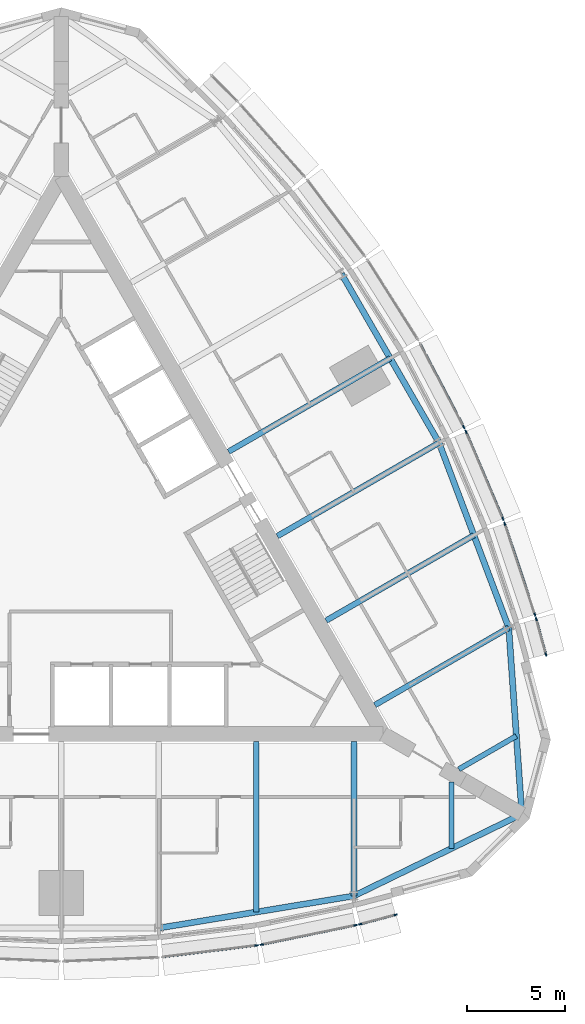
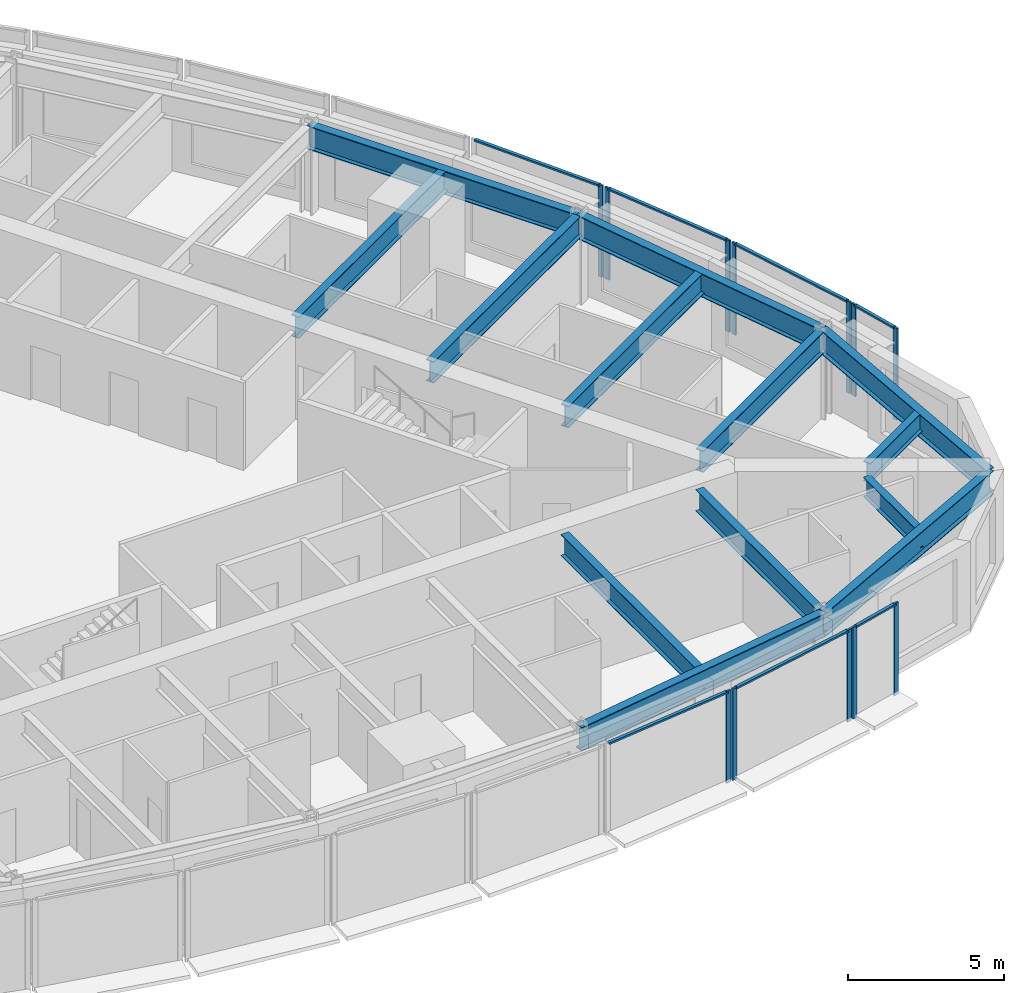
# One storey, part 4 of 15: 19 members, 13 beams, 7 elements without a shape of their own.
"""IFC4 building model written with IfcOpenShell, lengths in metres."""

from ifc_helpers import new_model, si_unit, direction, frame, origin, origin_2d, place, context, subcontext, project, spatial, rectangle, i_section, extrude, material, material_profile, profile_set, type_object, element, aggregate, save


model = new_model("IFC4")

# Units and contexts
model_context = context("Model", 3, precision=1e-05, world=origin(), true_north=direction((0.0, 1.0)))
body_context = subcontext(model_context, "Body", "Model", "MODEL_VIEW")
ifc_project = project(units=[si_unit("LENGTHUNIT", "METRE"), si_unit("AREAUNIT", "SQUARE_METRE"), si_unit("VOLUMEUNIT", "CUBIC_METRE"), si_unit("PLANEANGLEUNIT", "RADIAN"), si_unit("MASSUNIT", "GRAM", prefix="KILO")], contexts=[model_context])

# Site, building, storey
site_placement = place(None, origin())
site = spatial("IfcSite", under=ifc_project, at=site_placement, CompositionType="ELEMENT")
building_placement = place(site_placement, origin())
building = spatial("IfcBuilding", under=site, at=building_placement, Name="Trikona Tower", CompositionType="ELEMENT")
storey_placement = place(building_placement, frame((0.0, 0.0, 204.5)))
storey = spatial("IfcBuildingStorey", under=building, at=storey_placement, Name="L54", CompositionType="ELEMENT", Elevation=204.5)

# Curtain wall, member
ifc_material_1 = material(Name="Aluminium curtain wall system", Category="aluminium")
curtain_wall_type = type_object("IfcCurtainWallType", Name="Curtain wall DS3", PredefinedType="NOTDEFINED", material=ifc_material_1)
curtain_wall_1_placement = place(storey_placement, origin())
curtain_wall_1 = element("IfcCurtainWall", 1, at=curtain_wall_1_placement, inside=storey, type_object=curtain_wall_type, Name="Curtain wall DS3 L54", PredefinedType="NOTDEFINED")
ifc_material_2 = material(Name="Aluminium mullion, pale anodised", Category="aluminium")
ifc_material_profile_1 = material_profile(ifc_material_2, rectangle(XDim=0.070068359375, YDim=0.179931640625, at=origin_2d()), Name="MUL-DS3")
ifc_profile_set_1 = profile_set([ifc_material_profile_1], Name="Aluminium mullion, pale anodised")
member_type_1 = type_object("IfcMemberType", Name="Mullion DS3 70x180", PredefinedType="MULLION", material=ifc_profile_set_1)
member_1_placement = place(storey_placement, frame((10.01611328125, -20.359130859375, 0.0), z_axis=(0.0, 0.0, 1.0), x_axis=(-0.122610640458, 0.992454850785, 0.0)))
member_1 = element("IfcMember", 2, at=member_1_placement, type_object=member_type_1, Name="CW-DS3 mullion 2", PredefinedType="MULLION", context=body_context, shape_type="SweptSolid", body=[
    extrude(rectangle(XDim=0.070068359375, YDim=0.179931640625, at=origin_2d()), origin(), (0.0, 0.0, 1.0), 3.60009765625),
])

# Curtain wall, members
curtain_wall_2_placement = place(storey_placement, origin())
curtain_wall_2 = element("IfcCurtainWall", 3, at=curtain_wall_2_placement, inside=storey, type_object=curtain_wall_type, Name="Curtain wall DS3 L54", PredefinedType="NOTDEFINED")
member_2_placement = place(storey_placement, frame((10.274658203125, -20.316650390625, 0.0), z_axis=(0.0, 0.0, 1.0), x_axis=(-0.201652920672, 0.979457043256, 0.0)))
member_2 = element("IfcMember", 4, at=member_2_placement, type_object=member_type_1, Name="CW-DS3 mullion 1", PredefinedType="MULLION", context=body_context, shape_type="SweptSolid", body=[
    extrude(rectangle(XDim=0.070068359375, YDim=0.179931640625, at=origin_2d()), origin(), (0.0, 0.0, 1.0), 3.60009765625),
])
member_3_placement = place(storey_placement, frame((15.08837890625, -19.325439453125, 0.0), z_axis=(0.0, 0.0, 1.0), x_axis=(-0.201652920672, 0.979457043256, 0.0)))
member_3 = element("IfcMember", 5, at=member_3_placement, type_object=member_type_1, Name="CW-DS3 mullion 2", PredefinedType="MULLION", context=body_context, shape_type="SweptSolid", body=[
    extrude(rectangle(XDim=0.070068359375, YDim=0.179931640625, at=origin_2d()), origin(), (0.0, 0.0, 1.0), 3.60009765625),
])

curtain_wall_3_placement = place(storey_placement, origin())
curtain_wall_3 = element("IfcCurtainWall", 6, at=curtain_wall_3_placement, inside=storey, type_object=curtain_wall_type, Name="Curtain wall DS3 L54", PredefinedType="NOTDEFINED")
member_4_placement = place(storey_placement, frame((15.321044921875, -19.27099609375, 0.0), z_axis=(0.0, 0.0, 1.0), x_axis=(-0.25478635579, 0.966997369647, 0.0)))
member_4 = element("IfcMember", 7, at=member_4_placement, type_object=member_type_1, Name="CW-DS3 mullion 1", PredefinedType="MULLION", context=body_context, shape_type="SweptSolid", body=[
    extrude(rectangle(XDim=0.070068359375, YDim=0.179931640625, at=origin_2d()), origin(), (0.0, 0.0, 1.0), 3.60009765625),
])
member_5_placement = place(storey_placement, frame((17.137451171875, -18.79248046875, 0.0), z_axis=(0.0, 0.0, 1.0), x_axis=(-0.25478635579, 0.966997369647, 0.0)))
member_5 = element("IfcMember", 8, at=member_5_placement, type_object=member_type_1, Name="CW-DS3 mullion 2", PredefinedType="MULLION", context=body_context, shape_type="SweptSolid", body=[
    extrude(rectangle(XDim=0.070068359375, YDim=0.179931640625, at=origin_2d()), origin(), (0.0, 0.0, 1.0), 3.60009765625),
])

curtain_wall_4_placement = place(storey_placement, origin())
curtain_wall_4 = element("IfcCurtainWall", 9, at=curtain_wall_4_placement, inside=storey, type_object=curtain_wall_type, Name="Curtain wall DS3 L54", PredefinedType="NOTDEFINED")
member_6_placement = place(storey_placement, frame((24.843505859375, -5.4453125, 0.0), z_axis=(0.0, 0.0, 1.0), x_axis=(-0.964838403494, -0.262843784676, 0.0)))
member_6 = element("IfcMember", 10, at=member_6_placement, type_object=member_type_1, Name="CW-DS3 mullion 1", PredefinedType="MULLION", context=body_context, shape_type="SweptSolid", body=[
    extrude(rectangle(XDim=0.070068359375, YDim=0.179931640625, at=origin_2d()), origin(), (0.0, 0.0, 1.0), 3.60009765625),
])
member_7_placement = place(storey_placement, frame((24.349609375, -3.633056640625, 0.0), z_axis=(0.0, 0.0, 1.0), x_axis=(-0.964838403494, -0.262843784676, 0.0)))
member_7 = element("IfcMember", 11, at=member_7_placement, type_object=member_type_1, Name="CW-DS3 mullion 2", PredefinedType="MULLION", context=body_context, shape_type="SweptSolid", body=[
    extrude(rectangle(XDim=0.070068359375, YDim=0.179931640625, at=origin_2d()), origin(), (0.0, 0.0, 1.0), 3.60009765625),
])

curtain_wall_5_placement = place(storey_placement, origin())
curtain_wall_5 = element("IfcCurtainWall", 12, at=curtain_wall_5_placement, inside=storey, type_object=curtain_wall_type, Name="Curtain wall DS3 L54", PredefinedType="NOTDEFINED")
member_8_placement = place(storey_placement, frame((24.280517578125, -3.404296875, 0.0), z_axis=(0.0, 0.0, 1.0), x_axis=(-0.949065766708, -0.315078038687, 0.0)))
member_8 = element("IfcMember", 13, at=member_8_placement, type_object=member_type_1, Name="CW-DS3 mullion 1", PredefinedType="MULLION", context=body_context, shape_type="SweptSolid", body=[
    extrude(rectangle(XDim=0.070068359375, YDim=0.179931640625, at=origin_2d()), origin(), (0.0, 0.0, 1.0), 3.60009765625),
])
member_9_placement = place(storey_placement, frame((22.73193359375, 1.26025390625, 0.0), z_axis=(0.0, 0.0, 1.0), x_axis=(-0.949065766708, -0.315078038687, 0.0)))
member_9 = element("IfcMember", 14, at=member_9_placement, type_object=member_type_1, Name="CW-DS3 mullion 2", PredefinedType="MULLION", context=body_context, shape_type="SweptSolid", body=[
    extrude(rectangle(XDim=0.070068359375, YDim=0.179931640625, at=origin_2d()), origin(), (0.0, 0.0, 1.0), 3.60009765625),
])

curtain_wall_6_placement = place(storey_placement, origin())
curtain_wall_6 = element("IfcCurtainWall", 15, at=curtain_wall_6_placement, inside=storey, type_object=curtain_wall_type, Name="Curtain wall DS3 L54", PredefinedType="NOTDEFINED")
member_10_placement = place(storey_placement, frame((22.6396484375, 1.50537109375, 0.0), z_axis=(0.0, 0.0, 1.0), x_axis=(-0.920792322808, -0.390053199266, 0.0)))
member_10 = element("IfcMember", 16, at=member_10_placement, type_object=member_type_1, Name="CW-DS3 mullion 1", PredefinedType="MULLION", context=body_context, shape_type="SweptSolid", body=[
    extrude(rectangle(XDim=0.070068359375, YDim=0.179931640625, at=origin_2d()), origin(), (0.0, 0.0, 1.0), 3.60009765625),
])
member_11_placement = place(storey_placement, frame((20.74853515625, 5.969482421875, 0.0), z_axis=(0.0, 0.0, 1.0), x_axis=(-0.920792322808, -0.390053199266, 0.0)))
member_11 = element("IfcMember", 17, at=member_11_placement, type_object=member_type_1, Name="CW-DS3 mullion 2", PredefinedType="MULLION", context=body_context, shape_type="SweptSolid", body=[
    extrude(rectangle(XDim=0.070068359375, YDim=0.179931640625, at=origin_2d()), origin(), (0.0, 0.0, 1.0), 3.60009765625),
])

# Curtain wall, member
curtain_wall_7_placement = place(storey_placement, origin())
curtain_wall_7 = element("IfcCurtainWall", 18, at=curtain_wall_7_placement, inside=storey, type_object=curtain_wall_type, Name="Curtain wall DS3 L54", PredefinedType="NOTDEFINED")
member_12_placement = place(storey_placement, frame((20.635986328125, 6.20751953125, 0.0), z_axis=(0.0, 0.0, 1.0), x_axis=(-0.885862390527, -0.463948084434, 0.0)))
member_12 = element("IfcMember", 19, at=member_12_placement, type_object=member_type_1, Name="CW-DS3 mullion 1", PredefinedType="MULLION", context=body_context, shape_type="SweptSolid", body=[
    extrude(rectangle(XDim=0.070068359375, YDim=0.179931640625, at=origin_2d()), origin(), (0.0, 0.0, 1.0), 3.60009765625),
])

# Beams
ifc_material_3 = material(Name="Steel ASTM A992 Grade 50", Category="steel")
ifc_material_profile_2 = material_profile(ifc_material_3, i_section(OverallWidth=0.2666015625, OverallDepth=0.76953125, WebThickness=0.015625, FlangeThickness=0.025390625, at=origin_2d()), Name="W30X132")
ifc_profile_set_2 = profile_set([ifc_material_profile_2], Name="Steel ASTM A992 Grade 50")
beam_type_1 = type_object("IfcBeamType", Name="Steel beam W30x132 (wedge)", PredefinedType="BEAM", material=ifc_profile_set_2)
beam_1_placement = place(storey_placement, frame((20.0, -11.97998046875, 3.05029296875), z_axis=(0.0, -1.0, 0.0), x_axis=(1.0, 0.0, 0.0)))
element("IfcBeam", 20, at=beam_1_placement, inside=storey, type_object=beam_type_1, Name="Floor beam L55 F1 u20", PredefinedType="BEAM", context=body_context, shape_type="SweptSolid", body=[
    extrude(i_section(OverallWidth=0.2666015625, OverallDepth=0.76953125, WebThickness=0.015625, FlangeThickness=0.025390625, at=origin_2d()), origin(), (0.0, 0.0, 1.0), 3.40966796875),
])
beam_2_placement = place(storey_placement, frame((20.375, -11.33056640625, 3.05029296875), z_axis=(0.865995995653, 0.500050932918, 0.0), x_axis=(-0.500050932918, 0.865995995653, 0.0)))
element("IfcBeam", 21, at=beam_2_placement, inside=storey, type_object=beam_type_1, Name="Floor beam L55 F2 u-20", PredefinedType="BEAM", context=body_context, shape_type="SweptSolid", body=[
    extrude(i_section(OverallWidth=0.2666015625, OverallDepth=0.76953125, WebThickness=0.015625, FlangeThickness=0.025390625, at=origin_2d()), origin(), (0.0, 0.0, 1.0), 3.409912109375),
])
ifc_material_4 = material(Name="Steel ASTM A992 Grade 50", Category="steel")
ifc_material_profile_3 = material_profile(ifc_material_4, i_section(OverallWidth=0.2919921875, OverallDepth=0.845703125, WebThickness=0.015380859375, FlangeThickness=0.0244140625, at=origin_2d()), Name="W33X141")
ifc_profile_set_3 = profile_set([ifc_material_profile_3], Name="Steel ASTM A992 Grade 50")
beam_type_2 = type_object("IfcBeamType", Name="Steel beam W33x141 (radial typ)", PredefinedType="BEAM", material=ifc_profile_set_3)
beam_3_placement = place(storey_placement, frame((10.0, -9.9013671875, 3.01220703125), z_axis=(0.0, -1.0, 0.0), x_axis=(1.0, 0.0, 0.0)))
element("IfcBeam", 22, at=beam_3_placement, inside=storey, type_object=beam_type_2, Name="Floor beam L55 F1 u10", PredefinedType="BEAM", context=body_context, shape_type="SweptSolid", body=[
    extrude(i_section(OverallWidth=0.2919921875, OverallDepth=0.845703125, WebThickness=0.015380859375, FlangeThickness=0.0244140625, at=origin_2d()), origin(), (0.0, 0.0, 1.0), 8.7470703125),
])
for number, where, z_axis, x_axis, name in (
    (23, (15.0, -9.9013671875, 3.01220703125), (0.0, -1.0, 0.0), (1.0, 0.0, 0.0), "Floor beam L55 F1 u15"),
    (24, (16.07470703125, -8.039794921875, 3.01220703125), (0.866019853763, 0.500009612796, 0.0), (-0.500009612796, 0.866019853763, 0.0), "Floor beam L55 F2 u-15"),
):
    element("IfcBeam", number, at=place(storey_placement, frame(where, z_axis=z_axis, x_axis=x_axis)), inside=storey, type_object=beam_type_2, Name=name, PredefinedType="BEAM", context=body_context, shape_type="SweptSolid", body=[
        extrude(i_section(OverallWidth=0.2919921875, OverallDepth=0.845703125, WebThickness=0.015380859375, FlangeThickness=0.0244140625, at=origin_2d()), origin(), (0.0, 0.0, 1.0), 7.923583984375),
    ])
beam_4_placement = place(storey_placement, frame((13.57470703125, -3.709716796875, 3.01220703125), z_axis=(0.866013609749, 0.500020427312, 0.0), x_axis=(-0.500020427312, 0.866013609749, 0.0)))
element("IfcBeam", 25, at=beam_4_placement, inside=storey, type_object=beam_type_2, Name="Floor beam L55 F2 u-10", PredefinedType="BEAM", context=body_context, shape_type="SweptSolid", body=[
    extrude(i_section(OverallWidth=0.2919921875, OverallDepth=0.845703125, WebThickness=0.015380859375, FlangeThickness=0.0244140625, at=origin_2d()), origin(), (0.0, 0.0, 1.0), 8.747314453125),
])
for number, where, z_axis, x_axis, name in (
    (26, (11.07470703125, 0.62060546875, 3.01220703125), (0.866025863714, 0.499999203377, 0.0), (-0.499999203377, 0.866025863714, 0.0), "Floor beam L55 F2 u-5"),
    (27, (8.57470703125, 4.95068359375, 3.01220703125), (0.866025863714, 0.499999203377, 0.0), (-0.499999203377, 0.866025863714, 0.0), "Floor beam L55 F2 u0"),
):
    element("IfcBeam", number, at=place(storey_placement, frame(where, z_axis=z_axis, x_axis=x_axis)), inside=storey, type_object=beam_type_2, Name=name, PredefinedType="BEAM", context=body_context, shape_type="SweptSolid", body=[
        extrude(i_section(OverallWidth=0.2919921875, OverallDepth=0.845703125, WebThickness=0.015380859375, FlangeThickness=0.0244140625, at=origin_2d()), origin(), (0.0, 0.0, 1.0), 9.57080078125),
    ])
ifc_material_5 = material(Name="Steel ASTM A992 Grade 50", Category="steel")
ifc_material_profile_4 = material_profile(ifc_material_5, i_section(OverallWidth=0.307373046875, OverallDepth=0.922119140625, WebThickness=0.018310546875, FlangeThickness=0.030029296875, at=origin_2d()), Name="W36X182")
ifc_profile_set_4 = profile_set([ifc_material_profile_4], Name="Steel ASTM A992 Grade 50")
beam_type_3 = type_object("IfcBeamType", Name="Steel beam W36x182 (spandrel mid)", PredefinedType="SPANDREL", material=ifc_profile_set_4)
beam_5_placement = place(storey_placement, frame((5.0, -19.471923828125, 2.97412109375), z_axis=(0.986707228918, 0.162507982575, 0.0), x_axis=(-0.162507982575, 0.986707228918, 0.0)))
element("IfcBeam", 28, at=beam_5_placement, inside=storey, type_object=beam_type_3, Name="Spandrel beam L55 F1-4", PredefinedType="SPANDREL", context=body_context, shape_type="SweptSolid", body=[
    extrude(i_section(OverallWidth=0.307373046875, OverallDepth=0.922119140625, WebThickness=0.018310546875, FlangeThickness=0.030029296875, at=origin_2d()), origin(), (0.0, 0.0, 1.0), 10.134765625),
])
beam_6_placement = place(storey_placement, frame((15.0, -17.824951171875, 2.97412109375), z_axis=(0.899038503257, 0.437869580652, 0.0), x_axis=(-0.437869580652, 0.899038503257, 0.0)))
element("IfcBeam", 29, at=beam_6_placement, inside=storey, type_object=beam_type_3, Name="Spandrel beam L55 F1-5", PredefinedType="SPANDREL", context=body_context, shape_type="SweptSolid", body=[
    extrude(i_section(OverallWidth=0.307373046875, OverallDepth=0.922119140625, WebThickness=0.018310546875, FlangeThickness=0.030029296875, at=origin_2d()), origin(), (0.0, 0.0, 1.0), 9.577392578125),
])
beam_7_placement = place(storey_placement, frame((23.6103515625, -13.63134765625, 2.97412109375), z_axis=(-0.07033215835, 0.997523627541, 0.0), x_axis=(-0.997523627541, -0.07033215835, 0.0)))
element("IfcBeam", 30, at=beam_7_placement, inside=storey, type_object=beam_type_3, Name="Spandrel beam L55 F2-1", PredefinedType="SPANDREL", context=body_context, shape_type="SweptSolid", body=[
    extrude(i_section(OverallWidth=0.307373046875, OverallDepth=0.922119140625, WebThickness=0.018310546875, FlangeThickness=0.030029296875, at=origin_2d()), origin(), (0.0, 0.0, 1.0), 9.5771484375),
])
beam_8_placement = place(storey_placement, frame((22.936767578125, -4.077880859375, 2.97412109375), z_axis=(-0.352596088442, 0.935775613283, 0.0), x_axis=(-0.935775613283, -0.352596088442, 0.0)))
element("IfcBeam", 31, at=beam_8_placement, inside=storey, type_object=beam_type_3, Name="Spandrel beam L55 F2-2", PredefinedType="SPANDREL", context=body_context, shape_type="SweptSolid", body=[
    extrude(i_section(OverallWidth=0.307373046875, OverallDepth=0.922119140625, WebThickness=0.018310546875, FlangeThickness=0.030029296875, at=origin_2d()), origin(), (0.0, 0.0, 1.0), 10.134765625),
])
beam_9_placement = place(storey_placement, frame((19.36328125, 5.406005859375, 2.97412109375), z_axis=(-0.500004234368, 0.866022959057, 0.0), x_axis=(-0.866022959057, -0.500004234368, 0.0)))
element("IfcBeam", 32, at=beam_9_placement, inside=storey, type_object=beam_type_3, Name="Spandrel beam L55 F2-3", PredefinedType="SPANDREL", context=body_context, shape_type="SweptSolid", body=[
    extrude(i_section(OverallWidth=0.307373046875, OverallDepth=0.922119140625, WebThickness=0.018310546875, FlangeThickness=0.030029296875, at=origin_2d()), origin(), (0.0, 0.0, 1.0), 10.0),
])

# Member
ifc_material_6 = material(Name="Aluminium transom, pale anodised", Category="aluminium")
ifc_material_profile_5 = material_profile(ifc_material_6, rectangle(XDim=0.1201171875, YDim=0.070068359375, at=origin_2d()), Name="TRN-DS3")
ifc_profile_set_5 = profile_set([ifc_material_profile_5], Name="Aluminium transom, pale anodised")
member_type_2 = type_object("IfcMemberType", Name="Transom DS3 70x120", PredefinedType="USERDEFINED", material=ifc_profile_set_5)
member_13_placement = place(storey_placement, frame((5.2392578125, -20.94921875, 3.56494140625), z_axis=(0.992459172161, 0.122575656611, 0.0), x_axis=(-0.122575656611, 0.992459172161, 0.0)))
member_13 = element("IfcMember", 33, at=member_13_placement, type_object=member_type_2, Name="CW-DS3 transom 1.1", ObjectType="TRANSOM", PredefinedType="USERDEFINED", context=body_context, shape_type="SweptSolid", body=[
    extrude(rectangle(XDim=0.1201171875, YDim=0.070068359375, at=origin_2d()), origin(), (0.0, 0.0, 1.0), 4.7783203125),
])

aggregate(curtain_wall_1, [member_1, member_13])

member_14_placement = place(storey_placement, frame((10.308837890625, -20.3095703125, 3.56494140625), z_axis=(0.979454408611, 0.201665717099, 0.0), x_axis=(-0.201665717099, 0.979454408611, 0.0)))
member_14 = element("IfcMember", 34, at=member_14_placement, type_object=member_type_2, Name="CW-DS3 transom 1.1", ObjectType="TRANSOM", PredefinedType="USERDEFINED", context=body_context, shape_type="SweptSolid", body=[
    extrude(rectangle(XDim=0.1201171875, YDim=0.070068359375, at=origin_2d()), origin(), (0.0, 0.0, 1.0), 4.844970703125),
])

aggregate(curtain_wall_2, [member_2, member_3, member_14])

member_15_placement = place(storey_placement, frame((15.35498046875, -19.261962890625, 3.56494140625), z_axis=(0.966999290683, 0.254779064719, 0.0), x_axis=(-0.254779064719, 0.966999290683, 0.0)))
member_15 = element("IfcMember", 35, at=member_15_placement, type_object=member_type_2, Name="CW-DS3 transom 1.1", ObjectType="TRANSOM", PredefinedType="USERDEFINED", context=body_context, shape_type="SweptSolid", body=[
    extrude(rectangle(XDim=0.1201171875, YDim=0.070068359375, at=origin_2d()), origin(), (0.0, 0.0, 1.0), 1.80810546875),
])

aggregate(curtain_wall_3, [member_4, member_5, member_15])

member_16_placement = place(storey_placement, frame((24.834228515625, -5.41162109375, 3.56494140625), z_axis=(-0.262843243155, 0.964838551017, 0.0), x_axis=(-0.964838551017, -0.262843243155, 0.0)))
member_16 = element("IfcMember", 36, at=member_16_placement, type_object=member_type_2, Name="CW-DS3 transom 1.1", ObjectType="TRANSOM", PredefinedType="USERDEFINED", context=body_context, shape_type="SweptSolid", body=[
    extrude(rectangle(XDim=0.1201171875, YDim=0.070068359375, at=origin_2d()), origin(), (0.0, 0.0, 1.0), 1.808349609375),
])

aggregate(curtain_wall_4, [member_6, member_7, member_16])

member_17_placement = place(storey_placement, frame((24.26953125, -3.370849609375, 3.56494140625), z_axis=(-0.315063426034, 0.949070617802, 0.0), x_axis=(-0.949070617802, -0.315063426034, 0.0)))
member_17 = element("IfcMember", 37, at=member_17_placement, type_object=member_type_2, Name="CW-DS3 transom 1.1", ObjectType="TRANSOM", PredefinedType="USERDEFINED", context=body_context, shape_type="SweptSolid", body=[
    extrude(rectangle(XDim=0.1201171875, YDim=0.070068359375, at=origin_2d()), origin(), (0.0, 0.0, 1.0), 4.8447265625),
])

aggregate(curtain_wall_5, [member_8, member_9, member_17])

member_18_placement = place(storey_placement, frame((22.6259765625, 1.53759765625, 3.56494140625), z_axis=(-0.390061662668, 0.920788737614, 0.0), x_axis=(-0.920788737614, -0.390061662668, 0.0)))
member_18 = element("IfcMember", 38, at=member_18_placement, type_object=member_type_2, Name="CW-DS3 transom 1.1", ObjectType="TRANSOM", PredefinedType="USERDEFINED", context=body_context, shape_type="SweptSolid", body=[
    extrude(rectangle(XDim=0.1201171875, YDim=0.070068359375, at=origin_2d()), origin(), (0.0, 0.0, 1.0), 4.778076171875),
])

aggregate(curtain_wall_6, [member_10, member_11, member_18])

member_19_placement = place(storey_placement, frame((20.61962890625, 6.238525390625, 3.56494140625), z_axis=(-0.463910848027, 0.885881891158, 0.0), x_axis=(-0.885881891158, -0.463910848027, 0.0)))
member_19 = element("IfcMember", 39, at=member_19_placement, type_object=member_type_2, Name="CW-DS3 transom 1.1", ObjectType="TRANSOM", PredefinedType="USERDEFINED", context=body_context, shape_type="SweptSolid", body=[
    extrude(rectangle(XDim=0.1201171875, YDim=0.070068359375, at=origin_2d()), origin(), (0.0, 0.0, 1.0), 4.744384765625),
])

aggregate(curtain_wall_7, [member_12, member_19])

save(model, "model.ifc")
